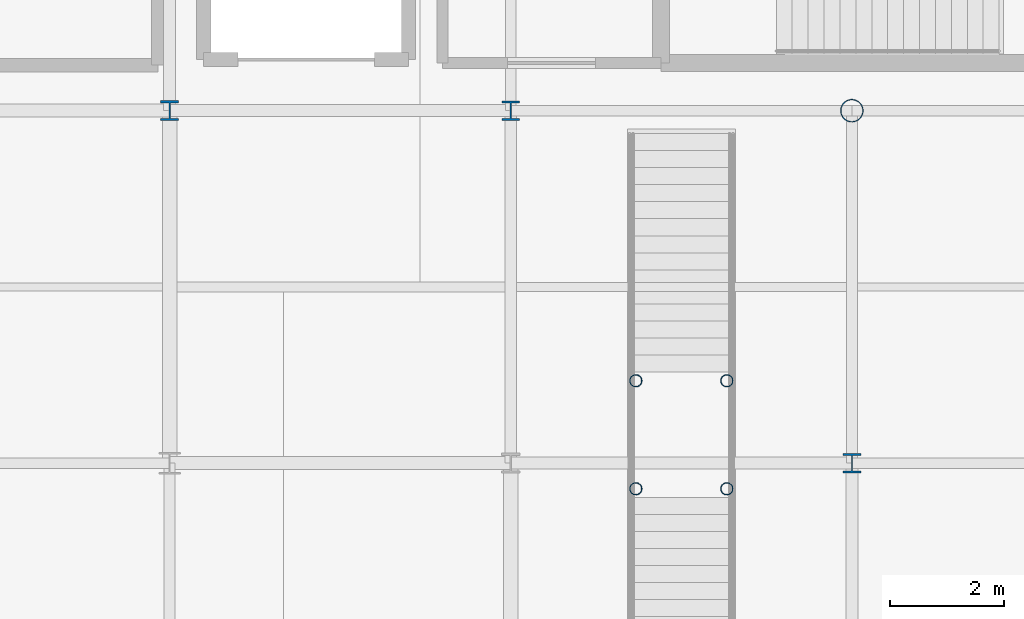
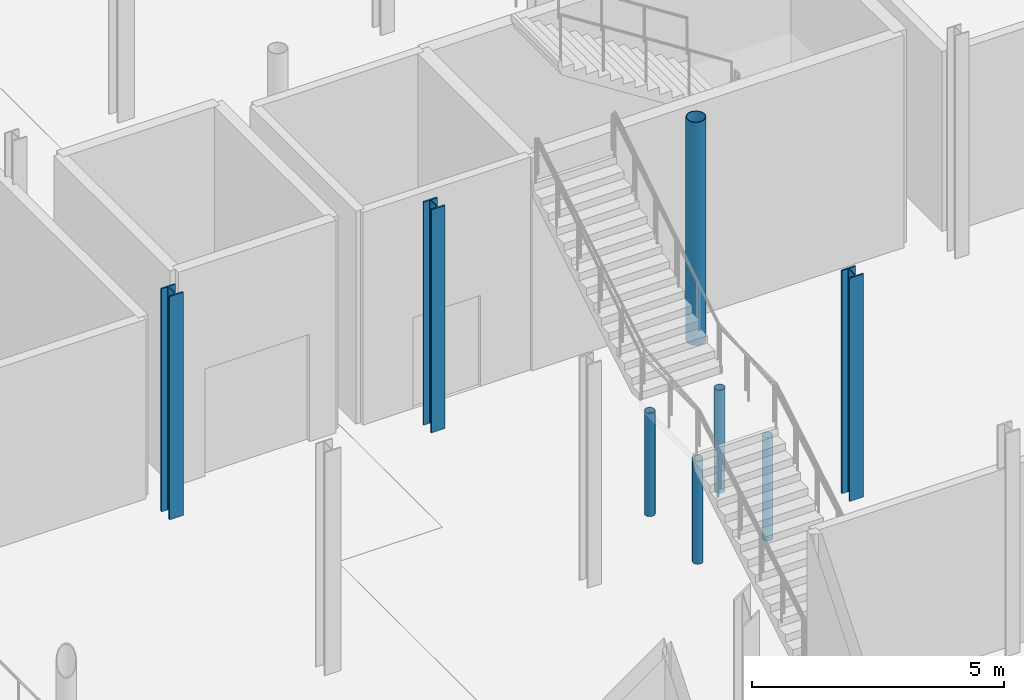
# One storey, part 3 of 105: 8 columns.
"""IFC4 building model written with IfcOpenShell, lengths in metres."""

from ifc_helpers import new_model, si_unit, direction, frame, origin, origin_2d, place, context, subcontext, project, spatial, hollow_circle, i_section, extrude, material, material_profile, profile_set, type_object, element, save


model = new_model("IFC4")

# Units and contexts
model_context = context("Model", 3, precision=1e-05, world=origin(), true_north=direction((0.0, 1.0)))
body_context = subcontext(model_context, "Body", "Model", "MODEL_VIEW")
ifc_project = project(units=[si_unit("LENGTHUNIT", "METRE"), si_unit("AREAUNIT", "SQUARE_METRE"), si_unit("VOLUMEUNIT", "CUBIC_METRE"), si_unit("PLANEANGLEUNIT", "RADIAN"), si_unit("MASSUNIT", "GRAM", prefix="KILO")], contexts=[model_context])

# Site, building, storey
site_placement = place(None, origin())
site = spatial("IfcSite", under=ifc_project, at=site_placement, CompositionType="ELEMENT")
building_placement = place(site_placement, origin())
building = spatial("IfcBuilding", under=site, at=building_placement, Name="Mirzam Square Science Centre", CompositionType="ELEMENT")
storey_placement = place(building_placement, frame((0.0, 0.0, 5.39990234375)))
storey = spatial("IfcBuildingStorey", under=building, at=storey_placement, Name="L01", CompositionType="ELEMENT", Elevation=5.39990234375)

# Columns
ifc_material = material(Name="Steel S355", Category="steel")
ifc_material_profile_1 = material_profile(ifc_material, hollow_circle(Radius=0.109619140625, WallThickness=0.010009765625, at=origin_2d()), Name="219.1x10.0CHS")
ifc_profile_set_1 = profile_set([ifc_material_profile_1], Name="Steel S355")
column_type_1 = type_object("IfcColumnType", Name="COL-CHS219", PredefinedType="COLUMN", material=ifc_profile_set_1)
for number, where, z_axis, x_axis, name in (
    (1, (26.199951171875, 55.35009765625, 0.0), (0.0, 0.0, 1.0), (1.0, 0.0, 0.0), "ST-09 landing support post 1"),
    (2, (27.800048828125, 55.35009765625, 0.0), (0.0, 0.0, 1.0), (1.0, 0.0, 0.0), "ST-09 landing support post 2"),
    (3, (26.199951171875, 57.25, 0.0), (0.0, 0.0, 1.0), (1.0, 0.0, 0.0), "ST-09 landing support post 3"),
    (4, (27.800048828125, 57.25, 0.0), (0.0, 0.0, 1.0), (1.0, 0.0, 0.0), "ST-09 landing support post 4"),
):
    element("IfcColumn", number, at=place(storey_placement, frame(where, z_axis=z_axis, x_axis=x_axis)), inside=storey, type_object=column_type_1, Name=name, PredefinedType="COLUMN", context=body_context, shape_type="SweptSolid", body=[
        extrude(hollow_circle(Radius=0.109619140625, WallThickness=0.010009765625, at=origin_2d()), origin(), (0.0, 0.0, 1.0), 2.5),
    ])
ifc_material_profile_2 = material_profile(ifc_material, hollow_circle(Radius=0.203125, WallThickness=0.01611328125, at=origin_2d()), Name="406.4x16.0CHS")
ifc_profile_set_2 = profile_set([ifc_material_profile_2], Name="Steel S355")
column_type_2 = type_object("IfcColumnType", Name="COL-CHS406", PredefinedType="COLUMN", material=ifc_profile_set_2)
column_1_placement = place(storey_placement, frame((30.0, 62.0, 0.0), z_axis=(0.0, 0.0, 1.0), x_axis=(1.0, 0.0, 0.0)))
element("IfcColumn", 5, at=column_1_placement, inside=storey, type_object=column_type_2, Name="L01 column G06-11", PredefinedType="COLUMN", context=body_context, shape_type="SweptSolid", body=[
    extrude(hollow_circle(Radius=0.203125, WallThickness=0.01611328125, at=origin_2d()), origin(), (0.0, 0.0, 1.0), 5.400146484375),
])
ifc_material_profile_3 = material_profile(ifc_material, i_section(OverallWidth=0.314453125, OverallDepth=0.33984375, WebThickness=0.01904296875, FlangeThickness=0.031494140625, FilletRadius=0.01513671875, at=origin_2d()), Name="305x305x198UC")
ifc_profile_set_3 = profile_set([ifc_material_profile_3], Name="Steel S355")
column_type_3 = type_object("IfcColumnType", Name="COL-UC305B", PredefinedType="COLUMN", material=ifc_profile_set_3)
for number, where, z_axis, x_axis, name in (
    (6, (24.0, 62.0, 0.0), (0.0, 0.0, 1.0), (1.0, 0.0, 0.0), "L01 column G05-11"),
    (7, (30.0, 55.800048828125, 0.0), (0.0, 0.0, 1.0), (1.0, 0.0, 0.0), "L01 column G06-10"),
):
    element("IfcColumn", number, at=place(storey_placement, frame(where, z_axis=z_axis, x_axis=x_axis)), inside=storey, type_object=column_type_3, Name=name, PredefinedType="COLUMN", context=body_context, shape_type="SweptSolid", body=[
        extrude(i_section(OverallWidth=0.314453125, OverallDepth=0.33984375, WebThickness=0.01904296875, FlangeThickness=0.031494140625, FilletRadius=0.01513671875, at=origin_2d()), origin(), (0.0, 0.0, 1.0), 5.400146484375),
    ])
ifc_material_profile_4 = material_profile(ifc_material, i_section(OverallWidth=0.318359375, OverallDepth=0.3525390625, WebThickness=0.02294921875, FlangeThickness=0.03759765625, FilletRadius=0.01513671875, at=origin_2d()), Name="305x305x240UC")
ifc_profile_set_4 = profile_set([ifc_material_profile_4], Name="Steel S355")
column_type_4 = type_object("IfcColumnType", Name="COL-UC305C", PredefinedType="COLUMN", material=ifc_profile_set_4)
column_2_placement = place(storey_placement, frame((18.0, 62.0, 0.0), z_axis=(0.0, 0.0, 1.0), x_axis=(1.0, 0.0, 0.0)))
element("IfcColumn", 8, at=column_2_placement, inside=storey, type_object=column_type_4, Name="L01 column G04-11", PredefinedType="COLUMN", context=body_context, shape_type="SweptSolid", body=[
    extrude(i_section(OverallWidth=0.318359375, OverallDepth=0.3525390625, WebThickness=0.02294921875, FlangeThickness=0.03759765625, FilletRadius=0.01513671875, at=origin_2d()), origin(), (0.0, 0.0, 1.0), 5.400146484375),
])

save(model, "model.ifc")
